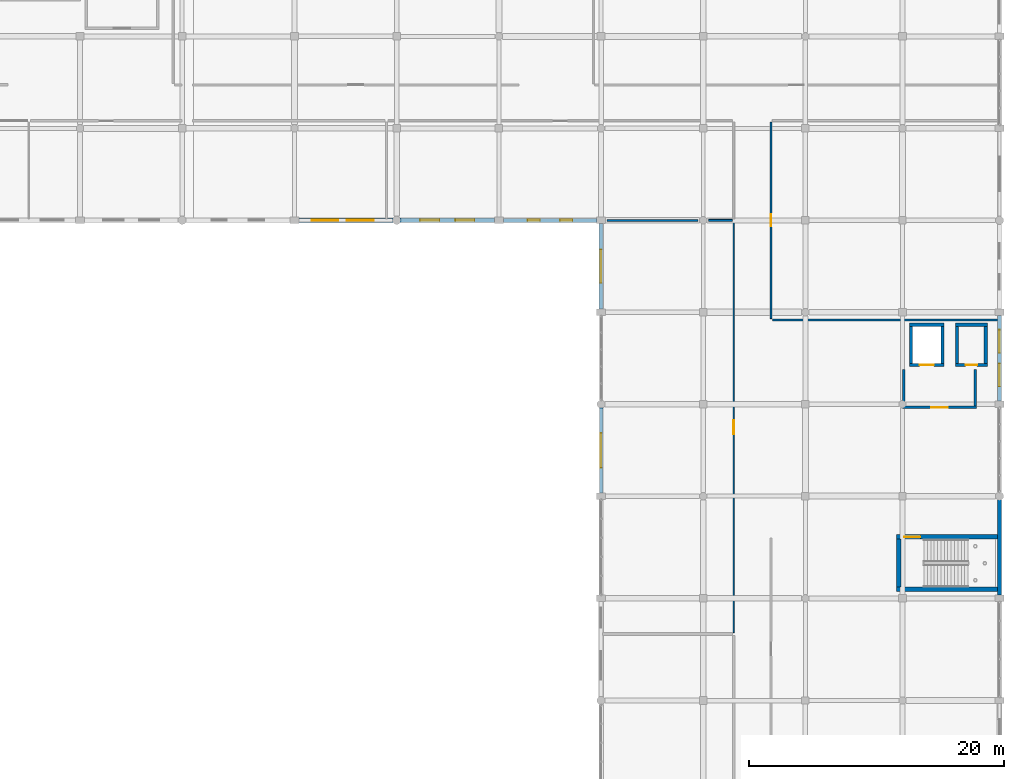
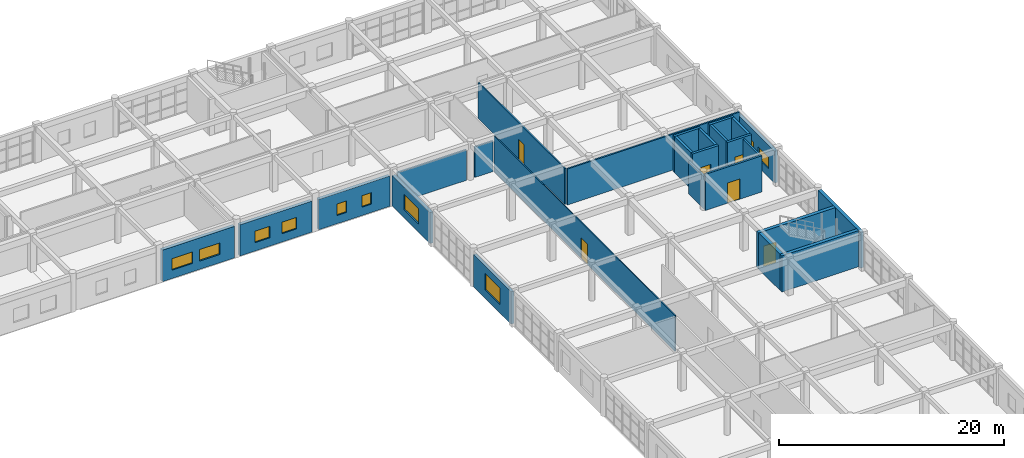
# One storey, part 45 of 53: 26 walls, 10 windows, 6 doors, 16 openings.
"""IFC4 building model written with IfcOpenShell, lengths in metres."""

from ifc_helpers import new_model, si_unit, direction, frame, frame_2d, origin, place, context, subcontext, project, spatial, rectangle, extrude, material, layer, layer_set, type_object, element, fill, save


model = new_model("IFC4")

# Units and contexts
model_context = context("Model", 3, precision=1e-05, world=origin(), true_north=direction((0.0, 1.0)))
body_context = subcontext(model_context, "Body", "Model", "MODEL_VIEW")
ifc_project = project(units=[si_unit("LENGTHUNIT", "METRE"), si_unit("AREAUNIT", "SQUARE_METRE"), si_unit("VOLUMEUNIT", "CUBIC_METRE"), si_unit("PLANEANGLEUNIT", "RADIAN"), si_unit("MASSUNIT", "GRAM", prefix="KILO")], contexts=[model_context])

# Site, building, storey
site_placement = place(None, origin())
site = spatial("IfcSite", under=ifc_project, at=site_placement, CompositionType="ELEMENT")
building_placement = place(site_placement, origin())
building = spatial("IfcBuilding", under=site, at=building_placement, Name="Kharva Crest Polytechnic", CompositionType="ELEMENT")
storey_placement = place(building_placement, frame((0.0, 0.0, 17.39990234375)))
storey = spatial("IfcBuildingStorey", under=building, at=storey_placement, Name="L04", CompositionType="ELEMENT", Elevation=17.39990234375)

# Wall
ifc_material_1 = material(Name="Concrete C40/50", Category="concrete")
ifc_layer_1 = layer(ifc_material_1, 0.35009765625, Name="Concrete C40/50")
ifc_layer_set_1 = layer_set([ifc_layer_1], Name="Concrete C40/50")
wall_type_1 = type_object("IfcWallType", Name="WL-CORE-CW1-350", PredefinedType="SHEAR", material=ifc_layer_set_1)
wall_1_placement = place(storey_placement, frame((175.949951171875, 71.4951171875, 0.0), z_axis=(0.0, 0.0, 1.0), x_axis=(1.0, 0.0, 0.0)))
element("IfcWall", 1, at=wall_1_placement, inside=storey, type_object=wall_type_1, Name="L04 East Crest Firefighting Core C5 South Shear Wall", PredefinedType="SHEAR", context=body_context, shape_type="SweptSolid", body=[
    extrude(rectangle(XDim=8.10009765625, YDim=0.35009765625, at=frame_2d((4.050048828125, 0.0))), origin(), (0.0, 0.0, 1.0), 3.920166015625),
])

# Wall, opening, door
wall_2_placement = place(storey_placement, frame((175.949951171875, 75.60498046875, 0.0), z_axis=(0.0, 0.0, 1.0), x_axis=(1.0, 0.0, 0.0)))
wall_2 = element("IfcWall", 2, at=wall_2_placement, inside=storey, type_object=wall_type_1, Name="L04 East Crest Firefighting Core C5 North Shear Wall", PredefinedType="SHEAR", context=body_context, shape_type="SweptSolid", body=[
    extrude(rectangle(XDim=8.10009765625, YDim=0.35009765625, at=frame_2d((4.050048828125, 0.0))), origin(), (0.0, 0.0, 1.0), 3.920166015625),
])
opening_1_placement = place(wall_2_placement, frame((0.60009765625, 0.0, 0.0)))
opening_1 = element("IfcOpeningElement", 3, at=opening_1_placement, cuts=wall_2, Name="Opening FD1B", PredefinedType="OPENING", context=body_context, shape_type="SweptSolid", body=[
    extrude(rectangle(XDim=1.25, YDim=2.199951171875, at=frame_2d((0.625, 1.10009765625))), frame((0.0, 0.18505859375, 0.0), z_axis=(0.0, -1.0, 0.0), x_axis=(1.0, 0.0, 0.0)), (0.0, 0.0, 1.0), 0.3701171875),
])
ifc_material_2 = material(Name="Teak timber", Category="wood")
door_type_1 = type_object("IfcDoorType", Name="DR-STAIR-1250X2200", OperationType="NOTDEFINED", PredefinedType="DOOR", material=ifc_material_2)
door_1_placement = place(opening_1_placement, origin())
door_1 = element("IfcDoor", 4, at=door_1_placement, inside=storey, type_object=door_type_1, Name="L04 ST-05 Stair Door", OperationType="SINGLE_SWING_RIGHT", OverallHeight=2.199951171875, OverallWidth=1.25, PredefinedType="DOOR", context=body_context, shape_type="SweptSolid", body=[
    extrude(rectangle(XDim=1.25, YDim=2.199951171875, at=frame_2d((0.625, 1.10009765625))), frame((0.0, 0.02490234375, 0.0), z_axis=(0.0, -1.0, 0.0), x_axis=(1.0, 0.0, 0.0)), (0.0, 0.0, 1.0), 0.050048828125),
])
fill(opening_1, door_1)

# Wall
wall_3_placement = place(storey_placement, frame((176.125, 71.669921875, 0.0), z_axis=(0.0, 0.0, 1.0), x_axis=(0.0, 1.0, 0.0)))
element("IfcWall", 5, at=wall_3_placement, inside=storey, type_object=wall_type_1, Name="L04 East Crest Firefighting Core C5 West Shear Wall", PredefinedType="SHEAR", context=body_context, shape_type="SweptSolid", body=[
    extrude(rectangle(XDim=3.760009765625, YDim=0.35009765625, at=frame_2d((1.8798828125, 0.0))), origin(), (0.0, 0.0, 1.0), 3.920166015625),
])

# Wall, opening, window
ifc_material_3 = material(Name="Kiln brick masonry", Category="masonry")
ifc_layer_2 = layer(ifc_material_3, 0.27490234375, Name="Kiln brick masonry")
ifc_layer_set_2 = layer_set([ifc_layer_2], Name="Kiln brick masonry")
wall_type_2 = type_object("IfcWallType", Name="WL-EXT-BRK-275", PredefinedType="SOLIDWALL", material=ifc_layer_set_2)
wall_4_placement = place(storey_placement, frame((152.800048828125, 85.731201171875, 0.0), z_axis=(0.0, 0.0, 1.0), x_axis=(0.0, -1.0, 0.0)))
wall_4 = element("IfcWall", 6, at=wall_4_placement, inside=storey, type_object=wall_type_2, Name="L04 Exterior Brick Wall 408", PredefinedType="SOLIDWALL", context=body_context, shape_type="SweptSolid", body=[
    extrude(rectangle(XDim=6.686279296875, YDim=0.27490234375, at=frame_2d((3.34326171875, 0.0))), origin(), (0.0, 0.0, 1.0), 3.510009765625),
])
opening_2_placement = place(wall_4_placement, frame((1.992919921875, 0.0, 0.89990234375)))
opening_2 = element("IfcOpeningElement", 7, at=opening_2_placement, cuts=wall_4, Name="Opening W01", PredefinedType="OPENING", context=body_context, shape_type="SweptSolid", body=[
    extrude(rectangle(XDim=2.699951171875, YDim=1.800048828125, at=frame_2d((1.35009765625, 0.89990234375))), frame((0.0, 0.1474609375, 0.0), z_axis=(0.0, -1.0, 0.0), x_axis=(1.0, 0.0, 0.0)), (0.0, 0.0, 1.0), 0.294921875),
])
ifc_material_4 = material(Name="Anodised aluminium", Category="aluminium")
window_type_1 = type_object("IfcWindowType", Name="WIN-ALU-2700X1800", PartitioningType="SINGLE_PANEL", PredefinedType="WINDOW", material=ifc_material_4)
window_1_placement = place(opening_2_placement, origin())
window_1 = element("IfcWindow", 8, at=window_1_placement, inside=storey, type_object=window_type_1, Name="L04 Exterior Window 572", OverallHeight=1.800048828125, OverallWidth=2.699951171875, PartitioningType="SINGLE_PANEL", PredefinedType="WINDOW", context=body_context, shape_type="SweptSolid", body=[
    extrude(rectangle(XDim=2.699951171875, YDim=1.800048828125, at=frame_2d((1.35009765625, 0.89990234375))), frame((0.0, 0.030029296875, 0.0), z_axis=(0.0, -1.0, 0.0), x_axis=(1.0, 0.0, 0.0)), (0.0, 0.0, 1.0), 0.06005859375),
])
fill(opening_2, window_1)

ifc_layer_3 = layer(ifc_material_3, 0.304931640625, Name="Kiln brick masonry")
ifc_layer_set_3 = layer_set([ifc_layer_3], Name="Kiln brick masonry")
wall_type_3 = type_object("IfcWallType", Name="WL-EXT-BRK-305", PredefinedType="SOLIDWALL", material=ifc_layer_set_3)
wall_5_placement = place(storey_placement, frame((152.800048828125, 100.155029296875, 0.0), z_axis=(0.0, 0.0, 1.0), x_axis=(0.0, -1.0, 0.0)))
wall_5 = element("IfcWall", 9, at=wall_5_placement, inside=storey, type_object=wall_type_3, Name="L04 Exterior Brick Wall 407", PredefinedType="SOLIDWALL", context=body_context, shape_type="SweptSolid", body=[
    extrude(rectangle(XDim=6.7099609375, YDim=0.304931640625, at=frame_2d((3.35498046875, 0.0))), origin(), (0.0, 0.0, 1.0), 3.35009765625),
])
opening_3_placement = place(wall_5_placement, frame((2.054931640625, 0.0, 0.89990234375)))
opening_3 = element("IfcOpeningElement", 10, at=opening_3_placement, cuts=wall_5, Name="Opening W24", PredefinedType="OPENING", context=body_context, shape_type="SweptSolid", body=[
    extrude(rectangle(XDim=2.60009765625, YDim=1.64990234375, at=frame_2d((1.300048828125, 0.824951171875))), frame((0.0, 0.162353515625, 0.0), z_axis=(0.0, -1.0, 0.0), x_axis=(1.0, 0.0, 0.0)), (0.0, 0.0, 1.0), 0.324951171875),
])
window_type_2 = type_object("IfcWindowType", Name="WIN-ALU-2600X1650", PartitioningType="SINGLE_PANEL", PredefinedType="WINDOW", material=ifc_material_4)
window_2_placement = place(opening_3_placement, origin())
window_2 = element("IfcWindow", 11, at=window_2_placement, inside=storey, type_object=window_type_2, Name="L04 Exterior Window 571", OverallHeight=1.64990234375, OverallWidth=2.60009765625, PartitioningType="SINGLE_PANEL", PredefinedType="WINDOW", context=body_context, shape_type="SweptSolid", body=[
    extrude(rectangle(XDim=2.60009765625, YDim=1.64990234375, at=frame_2d((1.300048828125, 0.824951171875))), frame((0.0, 0.030029296875, 0.0), z_axis=(0.0, -1.0, 0.0), x_axis=(1.0, 0.0, 0.0)), (0.0, 0.0, 1.0), 0.06005859375),
])
fill(opening_3, window_2)

# Wall, openings, windows
wall_6_placement = place(storey_placement, frame((184.0, 86.2451171875, 0.0), z_axis=(0.0, 0.0, 1.0), x_axis=(0.0, 1.0, 0.0)))
wall_6 = element("IfcWall", 12, at=wall_6_placement, inside=storey, type_object=wall_type_3, Name="L04 Exterior Brick Wall 418", PredefinedType="SOLIDWALL", context=body_context, shape_type="SweptSolid", body=[
    extrude(rectangle(XDim=6.7099609375, YDim=0.304931640625, at=frame_2d((3.35498046875, 0.0))), origin(), (0.0, 0.0, 1.0), 3.4501953125),
])
opening_4_placement = place(wall_6_placement, frame((1.14306640625, 0.0, 0.89990234375)))
opening_4 = element("IfcOpeningElement", 13, at=opening_4_placement, cuts=wall_6, Name="Opening W19", PredefinedType="OPENING", context=body_context, shape_type="SweptSolid", body=[
    extrude(rectangle(XDim=1.800048828125, YDim=1.25, at=frame_2d((0.89990234375, 0.625))), frame((0.0, 0.162353515625, 0.0), z_axis=(0.0, -1.0, 0.0), x_axis=(1.0, 0.0, 0.0)), (0.0, 0.0, 1.0), 0.324951171875),
])
opening_5_placement = place(wall_6_placement, frame((3.76708984375, 0.0, 0.89990234375)))
opening_5 = element("IfcOpeningElement", 14, at=opening_5_placement, cuts=wall_6, Name="Opening W19", PredefinedType="OPENING", context=body_context, shape_type="SweptSolid", body=[
    extrude(rectangle(XDim=1.800048828125, YDim=1.25, at=frame_2d((0.89990234375, 0.625))), frame((0.0, 0.162353515625, 0.0), z_axis=(0.0, -1.0, 0.0), x_axis=(1.0, 0.0, 0.0)), (0.0, 0.0, 1.0), 0.324951171875),
])
window_type_3 = type_object("IfcWindowType", Name="WIN-ALU-1800X1250", PartitioningType="SINGLE_PANEL", PredefinedType="WINDOW", material=ifc_material_4)
window_3_placement = place(opening_4_placement, origin())
window_3 = element("IfcWindow", 15, at=window_3_placement, inside=storey, type_object=window_type_3, Name="L04 Exterior Window 590", OverallHeight=1.25, OverallWidth=1.800048828125, PartitioningType="SINGLE_PANEL", PredefinedType="WINDOW", context=body_context, shape_type="SweptSolid", body=[
    extrude(rectangle(XDim=1.800048828125, YDim=1.25, at=frame_2d((0.89990234375, 0.625))), frame((0.0, 0.030029296875, 0.0), z_axis=(0.0, -1.0, 0.0), x_axis=(1.0, 0.0, 0.0)), (0.0, 0.0, 1.0), 0.06005859375),
])
fill(opening_4, window_3)
window_4_placement = place(opening_5_placement, origin())
window_4 = element("IfcWindow", 16, at=window_4_placement, inside=storey, type_object=window_type_3, Name="L04 Exterior Window 591", OverallHeight=1.25, OverallWidth=1.800048828125, PartitioningType="SINGLE_PANEL", PredefinedType="WINDOW", context=body_context, shape_type="SweptSolid", body=[
    extrude(rectangle(XDim=1.800048828125, YDim=1.25, at=frame_2d((0.89990234375, 0.625))), frame((0.0, 0.030029296875, 0.0), z_axis=(0.0, -1.0, 0.0), x_axis=(1.0, 0.0, 0.0)), (0.0, 0.0, 1.0), 0.06005859375),
])
fill(opening_5, window_4)

ifc_layer_4 = layer(ifc_material_3, 0.320068359375, Name="Kiln brick masonry")
ifc_layer_set_4 = layer_set([ifc_layer_4], Name="Kiln brick masonry")
wall_type_4 = type_object("IfcWallType", Name="WL-EXT-BRK-320", PredefinedType="SOLIDWALL", material=ifc_layer_set_4)
wall_7_placement = place(storey_placement, frame((145.14501953125, 100.39990234375, 0.0), z_axis=(0.0, 0.0, 1.0), x_axis=(1.0, 0.0, 0.0)))
wall_7 = element("IfcWall", 17, at=wall_7_placement, inside=storey, type_object=wall_type_4, Name="L04 Exterior Brick Wall 406", PredefinedType="SOLIDWALL", context=body_context, shape_type="SweptSolid", body=[
    extrude(rectangle(XDim=7.320068359375, YDim=0.320068359375, at=frame_2d((3.66015625, 0.0))), origin(), (0.0, 0.0, 1.0), 3.2900390625),
])
opening_6_placement = place(wall_7_placement, frame((1.9130859375, 0.0, 0.89990234375)))
opening_6 = element("IfcOpeningElement", 18, at=opening_6_placement, cuts=wall_7, Name="Opening W22", PredefinedType="OPENING", context=body_context, shape_type="SweptSolid", body=[
    extrude(rectangle(XDim=0.949951171875, YDim=1.25, at=frame_2d((0.47509765625, 0.625))), frame((0.0, 0.169921875, 0.0), z_axis=(0.0, -1.0, 0.0), x_axis=(1.0, 0.0, 0.0)), (0.0, 0.0, 1.0), 0.340087890625),
])
opening_7_placement = place(wall_7_placement, frame((4.45703125, 0.0, 0.89990234375)))
opening_7 = element("IfcOpeningElement", 19, at=opening_7_placement, cuts=wall_7, Name="Opening W22", PredefinedType="OPENING", context=body_context, shape_type="SweptSolid", body=[
    extrude(rectangle(XDim=0.949951171875, YDim=1.25, at=frame_2d((0.47509765625, 0.625))), frame((0.0, 0.169921875, 0.0), z_axis=(0.0, -1.0, 0.0), x_axis=(1.0, 0.0, 0.0)), (0.0, 0.0, 1.0), 0.340087890625),
])
window_type_4 = type_object("IfcWindowType", Name="WIN-ALU-950X1250", PartitioningType="SINGLE_PANEL", PredefinedType="WINDOW", material=ifc_material_4)
window_5_placement = place(opening_6_placement, origin())
window_5 = element("IfcWindow", 20, at=window_5_placement, inside=storey, type_object=window_type_4, Name="L04 Exterior Window 569", OverallHeight=1.25, OverallWidth=0.949951171875, PartitioningType="SINGLE_PANEL", PredefinedType="WINDOW", context=body_context, shape_type="SweptSolid", body=[
    extrude(rectangle(XDim=0.949951171875, YDim=1.25, at=frame_2d((0.47509765625, 0.625))), frame((0.0, 0.030029296875, 0.0), z_axis=(0.0, -1.0, 0.0), x_axis=(1.0, 0.0, 0.0)), (0.0, 0.0, 1.0), 0.06005859375),
])
fill(opening_6, window_5)
window_6_placement = place(opening_7_placement, origin())
window_6 = element("IfcWindow", 21, at=window_6_placement, inside=storey, type_object=window_type_4, Name="L04 Exterior Window 570", OverallHeight=1.25, OverallWidth=0.949951171875, PartitioningType="SINGLE_PANEL", PredefinedType="WINDOW", context=body_context, shape_type="SweptSolid", body=[
    extrude(rectangle(XDim=0.949951171875, YDim=1.25, at=frame_2d((0.47509765625, 0.625))), frame((0.0, 0.030029296875, 0.0), z_axis=(0.0, -1.0, 0.0), x_axis=(1.0, 0.0, 0.0)), (0.0, 0.0, 1.0), 0.06005859375),
])
fill(opening_7, window_6)

ifc_layer_5 = layer(ifc_material_3, 0.3349609375, Name="Kiln brick masonry")
ifc_layer_set_5 = layer_set([ifc_layer_5], Name="Kiln brick masonry")
wall_type_5 = type_object("IfcWallType", Name="WL-EXT-BRK-335", PredefinedType="SOLIDWALL", material=ifc_layer_set_5)
wall_8_placement = place(storey_placement, frame((137.06884765625, 100.39990234375, 0.0), z_axis=(0.0, 0.0, 1.0), x_axis=(1.0, 0.0, 0.0)))
wall_8 = element("IfcWall", 22, at=wall_8_placement, inside=storey, type_object=wall_type_5, Name="L04 Exterior Brick Wall 405", PredefinedType="SOLIDWALL", context=body_context, shape_type="SweptSolid", body=[
    extrude(rectangle(XDim=7.38623046875, YDim=0.3349609375, at=frame_2d((3.693115234375, 0.0))), origin(), (0.0, 0.0, 1.0), 3.3701171875),
])
opening_8_placement = place(wall_8_placement, frame((1.569091796875, 0.0, 0.89990234375)))
opening_8 = element("IfcOpeningElement", 23, at=opening_8_placement, cuts=wall_8, Name="Opening W20", PredefinedType="OPENING", context=body_context, shape_type="SweptSolid", body=[
    extrude(rectangle(XDim=1.5, YDim=1.25, at=frame_2d((0.75, 0.625))), frame((0.0, 0.177490234375, 0.0), z_axis=(0.0, -1.0, 0.0), x_axis=(1.0, 0.0, 0.0)), (0.0, 0.0, 1.0), 0.35498046875),
])
opening_9_placement = place(wall_8_placement, frame((4.31689453125, 0.0, 0.89990234375)))
opening_9 = element("IfcOpeningElement", 24, at=opening_9_placement, cuts=wall_8, Name="Opening W20", PredefinedType="OPENING", context=body_context, shape_type="SweptSolid", body=[
    extrude(rectangle(XDim=1.5, YDim=1.25, at=frame_2d((0.75, 0.625))), frame((0.0, 0.177490234375, 0.0), z_axis=(0.0, -1.0, 0.0), x_axis=(1.0, 0.0, 0.0)), (0.0, 0.0, 1.0), 0.35498046875),
])
window_type_5 = type_object("IfcWindowType", Name="WIN-ALU-1500X1250", PartitioningType="SINGLE_PANEL", PredefinedType="WINDOW", material=ifc_material_4)
window_7_placement = place(opening_8_placement, origin())
window_7 = element("IfcWindow", 25, at=window_7_placement, inside=storey, type_object=window_type_5, Name="L04 Exterior Window 567", OverallHeight=1.25, OverallWidth=1.5, PartitioningType="SINGLE_PANEL", PredefinedType="WINDOW", context=body_context, shape_type="SweptSolid", body=[
    extrude(rectangle(XDim=1.5, YDim=1.25, at=frame_2d((0.75, 0.625))), frame((0.0, 0.030029296875, 0.0), z_axis=(0.0, -1.0, 0.0), x_axis=(1.0, 0.0, 0.0)), (0.0, 0.0, 1.0), 0.06005859375),
])
fill(opening_8, window_7)
window_8_placement = place(opening_9_placement, origin())
window_8 = element("IfcWindow", 26, at=window_8_placement, inside=storey, type_object=window_type_5, Name="L04 Exterior Window 568", OverallHeight=1.25, OverallWidth=1.5, PartitioningType="SINGLE_PANEL", PredefinedType="WINDOW", context=body_context, shape_type="SweptSolid", body=[
    extrude(rectangle(XDim=1.5, YDim=1.25, at=frame_2d((0.75, 0.625))), frame((0.0, 0.030029296875, 0.0), z_axis=(0.0, -1.0, 0.0), x_axis=(1.0, 0.0, 0.0)), (0.0, 0.0, 1.0), 0.06005859375),
])
fill(opening_9, window_8)

# Wall
wall_9_placement = place(storey_placement, frame((184.0, 71.044921875, 0.0), z_axis=(0.0, 0.0, 1.0), x_axis=(0.0, 1.0, 0.0)))
element("IfcWall", 27, at=wall_9_placement, inside=storey, type_object=wall_type_5, Name="L04 Exterior Brick Wall 417", PredefinedType="SOLIDWALL", context=body_context, shape_type="SweptSolid", body=[
    extrude(rectangle(XDim=7.486328125, YDim=0.3349609375, at=frame_2d((3.7431640625, 0.0))), origin(), (0.0, 0.0, 1.0), 3.920166015625),
])

# Wall, openings, windows
ifc_layer_6 = layer(ifc_material_3, 0.35009765625, Name="Kiln brick masonry")
ifc_layer_set_6 = layer_set([ifc_layer_6], Name="Kiln brick masonry")
wall_type_6 = type_object("IfcWallType", Name="WL-EXT-BRK-350", PredefinedType="SOLIDWALL", material=ifc_layer_set_6)
wall_10_placement = place(storey_placement, frame((129.135009765625, 100.39990234375, 0.0), z_axis=(0.0, 0.0, 1.0), x_axis=(1.0, 0.0, 0.0)))
wall_10 = element("IfcWall", 28, at=wall_10_placement, inside=storey, type_object=wall_type_6, Name="L04 Exterior Brick Wall 404", PredefinedType="SOLIDWALL", context=body_context, shape_type="SweptSolid", body=[
    extrude(rectangle(XDim=7.396240234375, YDim=0.35009765625, at=frame_2d((3.6982421875, 0.0))), origin(), (0.0, 0.0, 1.0), 3.420166015625),
])
opening_10_placement = place(wall_10_placement, frame((0.9951171875, 0.0, 0.89990234375)))
opening_10 = element("IfcOpeningElement", 29, at=opening_10_placement, cuts=wall_10, Name="Opening W18", PredefinedType="OPENING", context=body_context, shape_type="SweptSolid", body=[
    extrude(rectangle(XDim=2.10009765625, YDim=1.25, at=frame_2d((1.050048828125, 0.625))), frame((0.0, 0.18505859375, 0.0), z_axis=(0.0, -1.0, 0.0), x_axis=(1.0, 0.0, 0.0)), (0.0, 0.0, 1.0), 0.3701171875),
])
opening_11_placement = place(wall_10_placement, frame((3.77001953125, 0.0, 0.89990234375)))
opening_11 = element("IfcOpeningElement", 30, at=opening_11_placement, cuts=wall_10, Name="Opening W18", PredefinedType="OPENING", context=body_context, shape_type="SweptSolid", body=[
    extrude(rectangle(XDim=2.10009765625, YDim=1.25, at=frame_2d((1.050048828125, 0.625))), frame((0.0, 0.18505859375, 0.0), z_axis=(0.0, -1.0, 0.0), x_axis=(1.0, 0.0, 0.0)), (0.0, 0.0, 1.0), 0.3701171875),
])
window_type_6 = type_object("IfcWindowType", Name="WIN-ALU-2100X1250", PartitioningType="SINGLE_PANEL", PredefinedType="WINDOW", material=ifc_material_4)
window_9_placement = place(opening_10_placement, origin())
window_9 = element("IfcWindow", 31, at=window_9_placement, inside=storey, type_object=window_type_6, Name="L04 Exterior Window 565", OverallHeight=1.25, OverallWidth=2.10009765625, PartitioningType="SINGLE_PANEL", PredefinedType="WINDOW", context=body_context, shape_type="SweptSolid", body=[
    extrude(rectangle(XDim=2.10009765625, YDim=1.25, at=frame_2d((1.050048828125, 0.625))), frame((0.0, 0.030029296875, 0.0), z_axis=(0.0, -1.0, 0.0), x_axis=(1.0, 0.0, 0.0)), (0.0, 0.0, 1.0), 0.06005859375),
])
fill(opening_10, window_9)
window_10_placement = place(opening_11_placement, origin())
window_10 = element("IfcWindow", 32, at=window_10_placement, inside=storey, type_object=window_type_6, Name="L04 Exterior Window 566", OverallHeight=1.25, OverallWidth=2.10009765625, PartitioningType="SINGLE_PANEL", PredefinedType="WINDOW", context=body_context, shape_type="SweptSolid", body=[
    extrude(rectangle(XDim=2.10009765625, YDim=1.25, at=frame_2d((1.050048828125, 0.625))), frame((0.0, 0.030029296875, 0.0), z_axis=(0.0, -1.0, 0.0), x_axis=(1.0, 0.0, 0.0)), (0.0, 0.0, 1.0), 0.06005859375),
])
fill(opening_11, window_10)

# Wall, opening, door
ifc_layer_7 = layer(ifc_material_3, 0.199951171875, Name="Kiln brick masonry")
ifc_layer_set_7 = layer_set([ifc_layer_7], Name="Kiln brick masonry")
wall_type_7 = type_object("IfcWallType", Name="WL-FIRE-FW1-200", PredefinedType="SOLIDWALL", material=ifc_layer_set_7)
wall_11_placement = place(storey_placement, frame((176.39990234375, 85.75, 0.0), z_axis=(0.0, 0.0, 1.0), x_axis=(1.0, 0.0, 0.0)))
wall_11 = element("IfcWall", 33, at=wall_11_placement, inside=storey, type_object=wall_type_7, Name="L04 Firefighting Lobby FL2 South Wall", PredefinedType="SOLIDWALL", context=body_context, shape_type="SweptSolid", body=[
    extrude(rectangle(XDim=5.800048828125, YDim=0.199951171875, at=frame_2d((2.89990234375, 0.0))), origin(), (0.0, 0.0, 1.0), 3.920166015625),
])
opening_12_placement = place(wall_11_placement, frame((2.25, 0.0, 0.0)))
opening_12 = element("IfcOpeningElement", 34, at=opening_12_placement, cuts=wall_11, Name="Opening FD2", PredefinedType="OPENING", context=body_context, shape_type="SweptSolid", body=[
    extrude(rectangle(XDim=1.300048828125, YDim=2.199951171875, at=frame_2d((0.64990234375, 1.10009765625))), frame((0.0, 0.10986328125, 0.0), z_axis=(0.0, -1.0, 0.0), x_axis=(1.0, 0.0, 0.0)), (0.0, 0.0, 1.0), 0.219970703125),
])
door_type_2 = type_object("IfcDoorType", Name="DR-FFLOB-1300X2200", OperationType="NOTDEFINED", PredefinedType="DOOR", material=ifc_material_2)
door_2_placement = place(opening_12_placement, origin())
door_2 = element("IfcDoor", 35, at=door_2_placement, inside=storey, type_object=door_type_2, Name="L04 Firefighting Lobby FL2 Smoke Door", OperationType="SINGLE_SWING_LEFT", OverallHeight=2.199951171875, OverallWidth=1.300048828125, PredefinedType="DOOR", context=body_context, shape_type="SweptSolid", body=[
    extrude(rectangle(XDim=1.300048828125, YDim=2.199951171875, at=frame_2d((0.64990234375, 1.10009765625))), frame((0.0, 0.02490234375, 0.0), z_axis=(0.0, -1.0, 0.0), x_axis=(1.0, 0.0, 0.0)), (0.0, 0.0, 1.0), 0.050048828125),
])
fill(opening_12, door_2)

# Walls
wall_12_placement = place(storey_placement, frame((176.5, 85.85009765625, 0.0), z_axis=(0.0, 0.0, 1.0), x_axis=(0.0, 1.0, 0.0)))
element("IfcWall", 36, at=wall_12_placement, inside=storey, type_object=wall_type_7, Name="L04 Firefighting Lobby FL2 West Wall", PredefinedType="SOLIDWALL", context=body_context, shape_type="SweptSolid", body=[
    extrude(rectangle(XDim=2.849853515625, YDim=0.199951171875, at=frame_2d((1.4248046875, 0.0))), origin(), (0.0, 0.0, 1.0), 3.489990234375),
])
wall_13_placement = place(storey_placement, frame((182.10009765625, 85.85009765625, 0.0), z_axis=(0.0, 0.0, 1.0), x_axis=(0.0, 1.0, 0.0)))
element("IfcWall", 37, at=wall_13_placement, inside=storey, type_object=wall_type_7, Name="L04 Firefighting Lobby FL2 East Wall", PredefinedType="SOLIDWALL", context=body_context, shape_type="SweptSolid", body=[
    extrude(rectangle(XDim=2.849853515625, YDim=0.199951171875, at=frame_2d((1.4248046875, 0.0))), origin(), (0.0, 0.0, 1.0), 3.920166015625),
])

# Wall, opening, door
ifc_layer_8 = layer(ifc_material_3, 0.10009765625, Name="Kiln brick masonry")
ifc_layer_set_8 = layer_set([ifc_layer_8], Name="Kiln brick masonry")
wall_type_8 = type_object("IfcWallType", Name="WL-PART-100", PredefinedType="PARTITIONING", material=ifc_layer_set_8)
wall_14_placement = place(storey_placement, frame((163.18994140625, 68.1201171875, 0.0), z_axis=(0.0, 0.0, 1.0), x_axis=(0.0, 1.0, 0.0)))
wall_14 = element("IfcWall", 38, at=wall_14_placement, inside=storey, type_object=wall_type_8, Name="L04 Interior Partition 358", PredefinedType="PARTITIONING", context=body_context, shape_type="SweptSolid", body=[
    extrude(rectangle(XDim=32.159912109375, YDim=0.10009765625, at=frame_2d((16.080078125, 0.0))), origin(), (0.0, 0.0, 1.0), 3.900146484375),
])
opening_13_placement = place(wall_14_placement, frame((15.52001953125, 0.0, 0.0)))
opening_13 = element("IfcOpeningElement", 39, at=opening_13_placement, cuts=wall_14, Name="Opening ID9", PredefinedType="OPENING", context=body_context, shape_type="SweptSolid", body=[
    extrude(rectangle(XDim=1.1201171875, YDim=2.199951171875, at=frame_2d((0.56005859375, 1.10009765625))), frame((0.0, 0.06005859375, 0.0), z_axis=(0.0, -1.0, 0.0), x_axis=(1.0, 0.0, 0.0)), (0.0, 0.0, 1.0), 0.1201171875),
])
door_type_3 = type_object("IfcDoorType", Name="DR-STD-1120X2200", OperationType="NOTDEFINED", PredefinedType="DOOR", material=ifc_material_2)
door_3_placement = place(opening_13_placement, origin())
door_3 = element("IfcDoor", 40, at=door_3_placement, inside=storey, type_object=door_type_3, Name="L04 Textile and Surface Design Studio L04-E Door", OperationType="SINGLE_SWING_LEFT", OverallHeight=2.199951171875, OverallWidth=1.1201171875, PredefinedType="DOOR", context=body_context, shape_type="SweptSolid", body=[
    extrude(rectangle(XDim=1.1201171875, YDim=2.199951171875, at=frame_2d((0.56005859375, 1.10009765625))), frame((0.0, 0.02490234375, 0.0), z_axis=(0.0, -1.0, 0.0), x_axis=(1.0, 0.0, 0.0)), (0.0, 0.0, 1.0), 0.050048828125),
])
fill(opening_13, door_3)

ifc_layer_9 = layer(ifc_material_3, 0.139892578125, Name="Kiln brick masonry")
ifc_layer_set_9 = layer_set([ifc_layer_9], Name="Kiln brick masonry")
wall_type_9 = type_object("IfcWallType", Name="WL-PART-140", PredefinedType="PARTITIONING", material=ifc_layer_set_9)
wall_15_placement = place(storey_placement, frame((166.110107421875, 92.7099609375, 0.0), z_axis=(0.0, 0.0, 1.0), x_axis=(0.0, 1.0, 0.0)))
wall_15 = element("IfcWall", 41, at=wall_15_placement, inside=storey, type_object=wall_type_9, Name="L04 Interior Partition 364", PredefinedType="PARTITIONING", context=body_context, shape_type="SweptSolid", body=[
    extrude(rectangle(XDim=15.380126953125, YDim=0.139892578125, at=frame_2d((7.68994140625, 0.0))), origin(), (0.0, 0.0, 1.0), 3.900146484375),
])
opening_14_placement = place(wall_15_placement, frame((7.215087890625, 0.0, 0.0)))
opening_14 = element("IfcOpeningElement", 42, at=opening_14_placement, cuts=wall_15, Name="Opening ID14", PredefinedType="OPENING", context=body_context, shape_type="SweptSolid", body=[
    extrude(rectangle(XDim=0.949951171875, YDim=2.10009765625, at=frame_2d((0.47509765625, 1.050048828125))), frame((0.0, 0.079833984375, 0.0), z_axis=(0.0, -1.0, 0.0), x_axis=(1.0, 0.0, 0.0)), (0.0, 0.0, 1.0), 0.159912109375),
])
door_type_4 = type_object("IfcDoorType", Name="DR-WC-950X2100", OperationType="NOTDEFINED", PredefinedType="DOOR", material=ifc_material_2)
door_4_placement = place(opening_14_placement, origin())
door_4 = element("IfcDoor", 43, at=door_4_placement, inside=storey, type_object=door_type_4, Name="L04 Male Female and Accessible Washrooms L04 Door", OperationType="SINGLE_SWING_LEFT", OverallHeight=2.10009765625, OverallWidth=0.949951171875, PredefinedType="DOOR", context=body_context, shape_type="SweptSolid", body=[
    extrude(rectangle(XDim=0.949951171875, YDim=2.10009765625, at=frame_2d((0.47509765625, 1.050048828125))), frame((0.0, 0.02490234375, 0.0), z_axis=(0.0, -1.0, 0.0), x_axis=(1.0, 0.0, 0.0)), (0.0, 0.0, 1.0), 0.050048828125),
])
fill(opening_14, door_4)

# Walls
ifc_layer_10 = layer(ifc_material_3, 0.14990234375, Name="Kiln brick masonry")
ifc_layer_set_10 = layer_set([ifc_layer_10], Name="Kiln brick masonry")
wall_type_10 = type_object("IfcWallType", Name="WL-PART-150", PredefinedType="PARTITIONING", material=ifc_layer_set_10)
wall_16_placement = place(storey_placement, frame((161.219970703125, 100.39990234375, 0.0), z_axis=(0.0, 0.0, 1.0), x_axis=(1.0, 0.0, 0.0)))
element("IfcWall", 44, at=wall_16_placement, inside=storey, type_object=wall_type_10, Name="L04 Interior Partition 343", PredefinedType="PARTITIONING", context=body_context, shape_type="SweptSolid", body=[
    extrude(rectangle(XDim=1.860107421875, YDim=0.14990234375, at=frame_2d((0.93017578125, 0.0))), origin(), (0.0, 0.0, 1.0), 3.320068359375),
])
ifc_layer_11 = layer(ifc_material_3, 0.159912109375, Name="Kiln brick masonry")
ifc_layer_set_11 = layer_set([ifc_layer_11], Name="Kiln brick masonry")
wall_type_11 = type_object("IfcWallType", Name="WL-PART-160", PredefinedType="PARTITIONING", material=ifc_layer_set_11)
wall_17_placement = place(storey_placement, frame((153.27001953125, 100.39990234375, 0.0), z_axis=(0.0, 0.0, 1.0), x_axis=(1.0, 0.0, 0.0)))
element("IfcWall", 45, at=wall_17_placement, inside=storey, type_object=wall_type_11, Name="L04 Interior Partition 342", PredefinedType="PARTITIONING", context=body_context, shape_type="SweptSolid", body=[
    extrude(rectangle(XDim=7.10986328125, YDim=0.159912109375, at=frame_2d((3.554931640625, 0.0))), origin(), (0.0, 0.0, 1.0), 3.31005859375),
])
wall_18_placement = place(storey_placement, frame((166.219970703125, 92.60009765625, 0.0), z_axis=(0.0, 0.0, 1.0), x_axis=(1.0, 0.0, 0.0)))
element("IfcWall", 46, at=wall_18_placement, inside=storey, type_object=wall_type_11, Name="L04 Interior Partition 362", PredefinedType="PARTITIONING", context=body_context, shape_type="SweptSolid", body=[
    extrude(rectangle(XDim=17.669921875, YDim=0.159912109375, at=frame_2d((8.8349609375, 0.0))), origin(), (0.0, 0.0, 1.0), 3.900146484375),
])

# Wall, opening, door
ifc_layer_12 = layer(ifc_material_1, 0.25, Name="Concrete C40/50")
ifc_layer_set_12 = layer_set([ifc_layer_12], Name="Concrete C40/50")
wall_type_12 = type_object("IfcWallType", Name="WL-SHEAR-SW1-250", PredefinedType="SHEAR", material=ifc_layer_set_12)
wall_19_placement = place(storey_placement, frame((176.949951171875, 89.074951171875, 0.0), z_axis=(0.0, 0.0, 1.0), x_axis=(1.0, 0.0, 0.0)))
wall_19 = element("IfcWall", 47, at=wall_19_placement, inside=storey, type_object=wall_type_12, Name="L04 Lift FL2 South Shaft Wall", PredefinedType="SHEAR", context=body_context, shape_type="SweptSolid", body=[
    extrude(rectangle(XDim=2.699951171875, YDim=0.25, at=frame_2d((1.35009765625, 0.0))), origin(), (0.0, 0.0, 1.0), 3.920166015625),
])
opening_15_placement = place(wall_19_placement, frame((0.800048828125, 0.0, 0.0)))
opening_15 = element("IfcOpeningElement", 48, at=opening_15_placement, cuts=wall_19, Name="Opening LD1", PredefinedType="OPENING", context=body_context, shape_type="SweptSolid", body=[
    extrude(rectangle(XDim=1.10009765625, YDim=2.14990234375, at=frame_2d((0.550048828125, 1.074951171875))), frame((0.0, 0.135009765625, 0.0), z_axis=(0.0, -1.0, 0.0), x_axis=(1.0, 0.0, 0.0)), (0.0, 0.0, 1.0), 0.27001953125),
])
door_type_5 = type_object("IfcDoorType", Name="DR-LIFT-LD1-1100X2150", OperationType="SLIDING_TO_LEFT", PredefinedType="DOOR", material=ifc_material_4)
door_5_placement = place(opening_15_placement, origin())
door_5 = element("IfcDoor", 49, at=door_5_placement, inside=storey, type_object=door_type_5, Name="L04 Lift FL2 Sliding Landing Door", OperationType="SLIDING_TO_LEFT", OverallHeight=2.14990234375, OverallWidth=1.10009765625, PredefinedType="DOOR", context=body_context, shape_type="SweptSolid", body=[
    extrude(rectangle(XDim=1.10009765625, YDim=2.14990234375, at=frame_2d((0.550048828125, 1.074951171875))), frame((0.0, 0.02490234375, 0.0), z_axis=(0.0, -1.0, 0.0), x_axis=(1.0, 0.0, 0.0)), (0.0, 0.0, 1.0), 0.050048828125),
])
fill(opening_15, door_5)

# Walls
wall_20_placement = place(storey_placement, frame((176.949951171875, 92.22509765625, 0.0), z_axis=(0.0, 0.0, 1.0), x_axis=(1.0, 0.0, 0.0)))
element("IfcWall", 50, at=wall_20_placement, inside=storey, type_object=wall_type_12, Name="L04 Lift FL2 North Shaft Wall", PredefinedType="SHEAR", context=body_context, shape_type="SweptSolid", body=[
    extrude(rectangle(XDim=2.699951171875, YDim=0.25, at=frame_2d((1.35009765625, 0.0))), origin(), (0.0, 0.0, 1.0), 3.920166015625),
])
for number, where, z_axis, x_axis, name in (
    (51, (177.074951171875, 89.199951171875, 0.0), (0.0, 0.0, 1.0), (0.0, 1.0, 0.0), "L04 Lift FL2 West Shaft Wall"),
    (52, (179.52490234375, 89.199951171875, 0.0), (0.0, 0.0, 1.0), (0.0, 1.0, 0.0), "L04 Lift FL2 East Shaft Wall"),
):
    element("IfcWall", number, at=place(storey_placement, frame(where, z_axis=z_axis, x_axis=x_axis)), inside=storey, type_object=wall_type_12, Name=name, PredefinedType="SHEAR", context=body_context, shape_type="SweptSolid", body=[
        extrude(rectangle(XDim=2.900146484375, YDim=0.25, at=frame_2d((1.4501953125, 0.0))), origin(), (0.0, 0.0, 1.0), 3.920166015625),
    ])

# Wall, opening, door
wall_21_placement = place(storey_placement, frame((180.550048828125, 89.074951171875, 0.0), z_axis=(0.0, 0.0, 1.0), x_axis=(1.0, 0.0, 0.0)))
wall_21 = element("IfcWall", 53, at=wall_21_placement, inside=storey, type_object=wall_type_12, Name="L04 Core C5 Riser South Wall", PredefinedType="SHEAR", context=body_context, shape_type="SweptSolid", body=[
    extrude(rectangle(XDim=2.5, YDim=0.25, at=frame_2d((1.25, 0.0))), origin(), (0.0, 0.0, 1.0), 3.920166015625),
])
opening_16_placement = place(wall_21_placement, frame((0.800048828125, 0.0, 0.0)))
opening_16 = element("IfcOpeningElement", 54, at=opening_16_placement, cuts=wall_21, Name="Opening FD3", PredefinedType="OPENING", context=body_context, shape_type="SweptSolid", body=[
    extrude(rectangle(XDim=0.89990234375, YDim=2.050048828125, at=frame_2d((0.449951171875, 1.02490234375))), frame((0.0, 0.135009765625, 0.0), z_axis=(0.0, -1.0, 0.0), x_axis=(1.0, 0.0, 0.0)), (0.0, 0.0, 1.0), 0.27001953125),
])
door_type_6 = type_object("IfcDoorType", Name="DR-RISER-900X2050", OperationType="NOTDEFINED", PredefinedType="DOOR", material=ifc_material_4)
door_6_placement = place(opening_16_placement, origin())
door_6 = element("IfcDoor", 55, at=door_6_placement, inside=storey, type_object=door_type_6, Name="L04 Core C5 Riser Access Door", OperationType="SINGLE_SWING_RIGHT", OverallHeight=2.050048828125, OverallWidth=0.89990234375, PredefinedType="DOOR", context=body_context, shape_type="SweptSolid", body=[
    extrude(rectangle(XDim=0.89990234375, YDim=2.050048828125, at=frame_2d((0.449951171875, 1.02490234375))), frame((0.0, 0.02490234375, 0.0), z_axis=(0.0, -1.0, 0.0), x_axis=(1.0, 0.0, 0.0)), (0.0, 0.0, 1.0), 0.050048828125),
])
fill(opening_16, door_6)

# Walls
wall_22_placement = place(storey_placement, frame((180.550048828125, 92.22509765625, 0.0), z_axis=(0.0, 0.0, 1.0), x_axis=(1.0, 0.0, 0.0)))
element("IfcWall", 56, at=wall_22_placement, inside=storey, type_object=wall_type_12, Name="L04 Core C5 Riser North Wall", PredefinedType="SHEAR", context=body_context, shape_type="SweptSolid", body=[
    extrude(rectangle(XDim=2.5, YDim=0.25, at=frame_2d((1.25, 0.0))), origin(), (0.0, 0.0, 1.0), 3.920166015625),
])
for number, where, z_axis, x_axis, name in (
    (57, (180.675048828125, 89.199951171875, 0.0), (0.0, 0.0, 1.0), (0.0, 1.0, 0.0), "L04 Core C5 Riser West Wall"),
    (58, (182.925048828125, 89.199951171875, 0.0), (0.0, 0.0, 1.0), (0.0, 1.0, 0.0), "L04 Core C5 Riser East Wall"),
):
    element("IfcWall", number, at=place(storey_placement, frame(where, z_axis=z_axis, x_axis=x_axis)), inside=storey, type_object=wall_type_12, Name=name, PredefinedType="SHEAR", context=body_context, shape_type="SweptSolid", body=[
        extrude(rectangle(XDim=2.900146484375, YDim=0.25, at=frame_2d((1.4501953125, 0.0))), origin(), (0.0, 0.0, 1.0), 3.920166015625),
    ])

save(model, "model.ifc")
